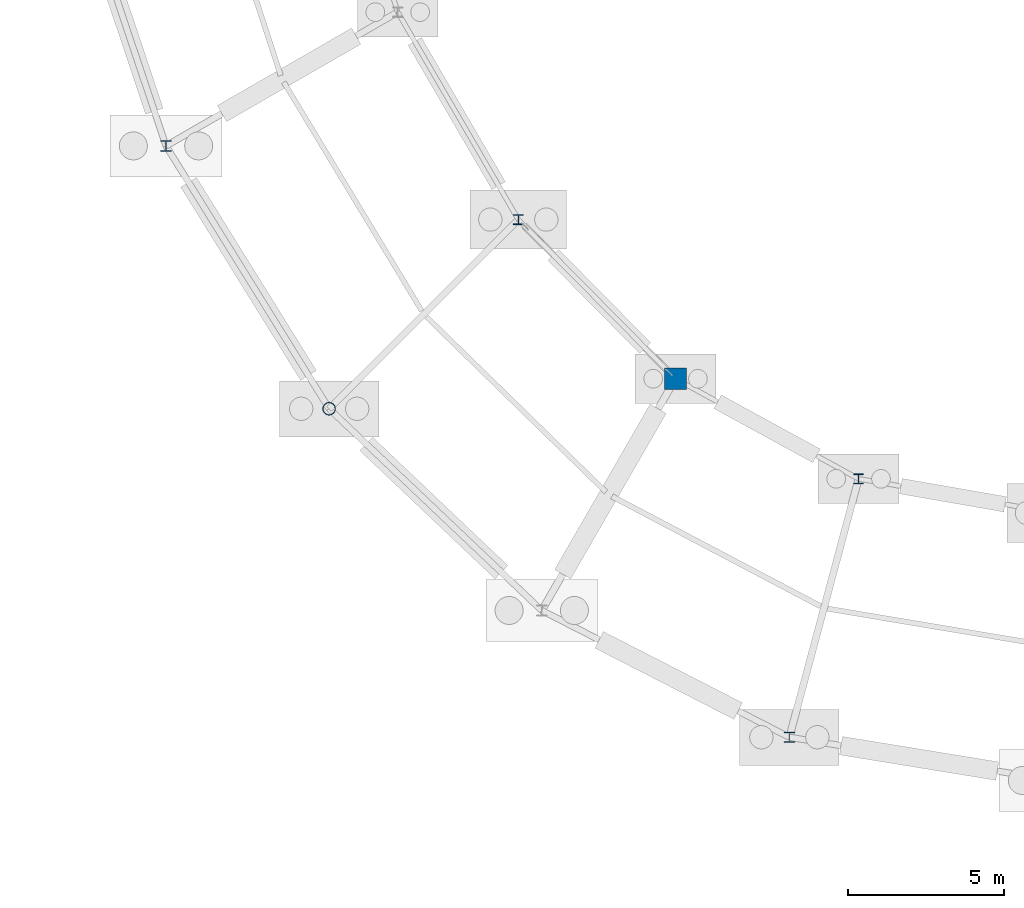
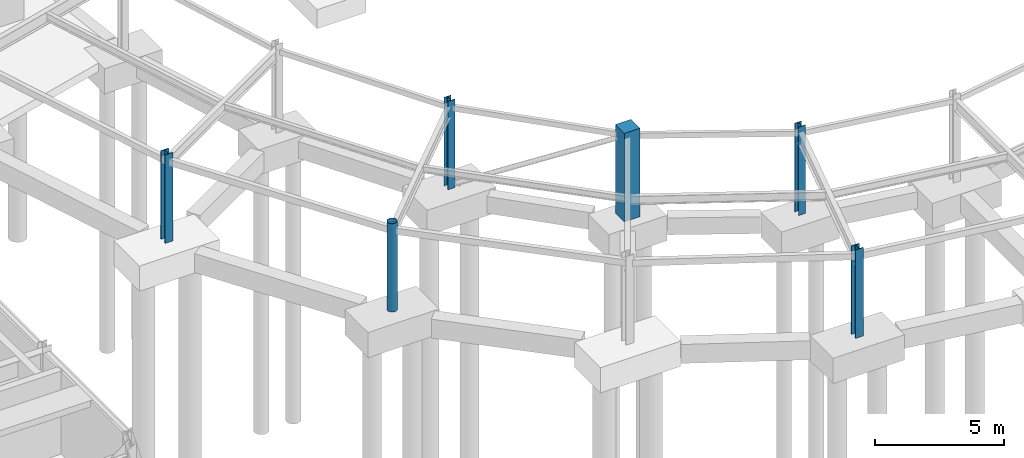
# One storey, part 9 of 58: 6 columns.
"""IFC4 building model written with IfcOpenShell, lengths in metres."""

from ifc_helpers import new_model, si_unit, direction, frame, origin, origin_2d, place, context, subcontext, project, spatial, rectangle, hollow_circle, i_section, extrude, material, material_profile, profile_set, type_object, element, save


model = new_model("IFC4")

# Units and contexts
model_context = context("Model", 3, precision=1e-05, world=origin(), true_north=direction((0.0, 1.0)))
body_context = subcontext(model_context, "Body", "Model", "MODEL_VIEW")
ifc_project = project(units=[si_unit("LENGTHUNIT", "METRE"), si_unit("AREAUNIT", "SQUARE_METRE"), si_unit("VOLUMEUNIT", "CUBIC_METRE"), si_unit("PLANEANGLEUNIT", "RADIAN"), si_unit("MASSUNIT", "GRAM", prefix="KILO")], contexts=[model_context])

# Site, building, storey
site_placement = place(None, origin())
site = spatial("IfcSite", under=ifc_project, at=site_placement, CompositionType="ELEMENT")
building_placement = place(site_placement, origin())
building = spatial("IfcBuilding", under=site, at=building_placement, Name="Karori Crest Natural Sciences Institute", CompositionType="ELEMENT")
storey_placement = place(building_placement, frame((0.0, 0.0, -4.199951171875)))
storey = spatial("IfcBuildingStorey", under=building, at=storey_placement, Name="B1", CompositionType="ELEMENT", Elevation=-4.199951171875)

# Columns
ifc_material_1 = material(Name="Structural steel AS/NZS 3679.1 Grade 350", Category="steel")
ifc_material_profile_1 = material_profile(ifc_material_1, i_section(OverallWidth=0.35009765625, OverallDepth=0.35009765625, WebThickness=0.02001953125, FlangeThickness=0.031982421875, FilletRadius=0.01611328125, at=origin_2d()), Name="350WC280")
ifc_profile_set_1 = profile_set([ifc_material_profile_1], Name="Structural steel AS/NZS 3679.1 Grade 350")
column_type_1 = type_object("IfcColumnType", Name="CT-03", PredefinedType="COLUMN", material=ifc_profile_set_1)
for number, where, z_axis, x_axis, name in (
    (1, (37.8212890625, 29.5, 0.0), (0.0, 0.0, 1.0), (1.0, 0.0, 0.0), "Column C-0237"),
    (2, (57.85888671875, 10.490234375, 0.0), (0.0, 0.0, 1.0), (1.0, 0.0, 0.0), "Column C-0281"),
):
    element("IfcColumn", number, at=place(storey_placement, frame(where, z_axis=z_axis, x_axis=x_axis)), inside=storey, type_object=column_type_1, Name=name, PredefinedType="COLUMN", context=body_context, shape_type="SweptSolid", body=[
        extrude(i_section(OverallWidth=0.35009765625, OverallDepth=0.35009765625, WebThickness=0.02001953125, FlangeThickness=0.031982421875, FilletRadius=0.01611328125, at=origin_2d()), origin(), (0.0, 0.0, 1.0), 4.199951171875),
    ])
ifc_material_profile_2 = material_profile(ifc_material_1, i_section(OverallWidth=0.31103515625, OverallDepth=0.326904296875, WebThickness=0.015625, FlangeThickness=0.02490234375, FilletRadius=0.01708984375, at=origin_2d()), Name="310UC158")
ifc_profile_set_2 = profile_set([ifc_material_profile_2], Name="Structural steel AS/NZS 3679.1 Grade 350")
column_type_2 = type_object("IfcColumnType", Name="CT-04-IL", PredefinedType="COLUMN", material=ifc_profile_set_2)
for number, where, z_axis, x_axis, name in (
    (3, (49.146484375, 27.131103515625, 0.0), (0.0, 0.0, 1.0), (1.0, 0.0, 0.0), "Column C-0252"),
    (4, (60.084716796875, 18.797119140625, 0.0), (0.0, 0.0, 1.0), (1.0, 0.0, 0.0), "Column C-0282"),
):
    element("IfcColumn", number, at=place(storey_placement, frame(where, z_axis=z_axis, x_axis=x_axis)), inside=storey, type_object=column_type_2, Name=name, PredefinedType="COLUMN", context=body_context, shape_type="SweptSolid", body=[
        extrude(i_section(OverallWidth=0.31103515625, OverallDepth=0.326904296875, WebThickness=0.015625, FlangeThickness=0.02490234375, FilletRadius=0.01708984375, at=origin_2d()), origin(), (0.0, 0.0, 1.0), 4.199951171875),
    ])
ifc_material_2 = material(Name="Hollow structural steel AS/NZS 1163 Grade C350", Category="steel")
ifc_material_profile_3 = material_profile(ifc_material_2, hollow_circle(Radius=0.203125, WallThickness=0.0126953125, at=origin_2d()), Name="CHS406.4x12.7")
ifc_profile_set_3 = profile_set([ifc_material_profile_3], Name="Hollow structural steel AS/NZS 1163 Grade C350")
column_type_3 = type_object("IfcColumnType", Name="CT-27", PredefinedType="COLUMN", material=ifc_profile_set_3)
column_1_placement = place(storey_placement, frame((43.0654296875, 21.050048828125, 0.0), z_axis=(0.0, 0.0, 1.0), x_axis=(1.0, 0.0, 0.0)))
element("IfcColumn", 5, at=column_1_placement, inside=storey, type_object=column_type_3, Name="Column C-0251", PredefinedType="COLUMN", context=body_context, shape_type="SweptSolid", body=[
    extrude(hollow_circle(Radius=0.203125, WallThickness=0.0126953125, at=origin_2d()), origin(), (0.0, 0.0, 1.0), 4.199951171875),
])
ifc_material_3 = material(Name="Concrete 50 MPa", Category="concrete")
ifc_material_profile_4 = material_profile(ifc_material_3, rectangle(XDim=0.699951171875, YDim=0.699951171875, at=origin_2d()), Name="RC700x700")
ifc_profile_set_4 = profile_set([ifc_material_profile_4], Name="Concrete 50 MPa")
column_type_4 = type_object("IfcColumnType", Name="CT-29", PredefinedType="COLUMN", material=ifc_profile_set_4)
column_2_placement = place(storey_placement, frame((54.199951171875, 22.013916015625, 0.0), z_axis=(0.0, 0.0, 1.0), x_axis=(1.0, 0.0, 0.0)))
element("IfcColumn", 6, at=column_2_placement, inside=storey, type_object=column_type_4, Name="Column C-0266", PredefinedType="COLUMN", context=body_context, shape_type="SweptSolid", body=[
    extrude(rectangle(XDim=0.699951171875, YDim=0.699951171875, at=origin_2d()), origin(), (0.0, 0.0, 1.0), 4.199951171875),
])

save(model, "model.ifc")
